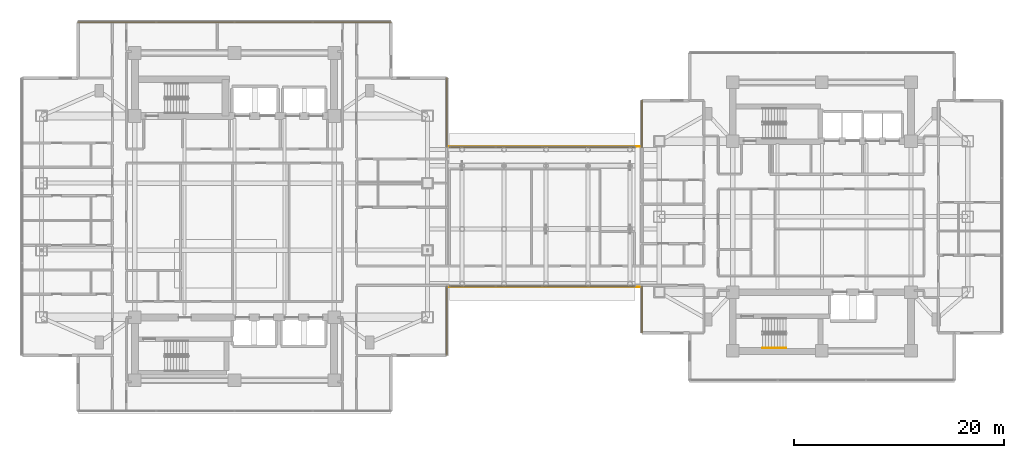
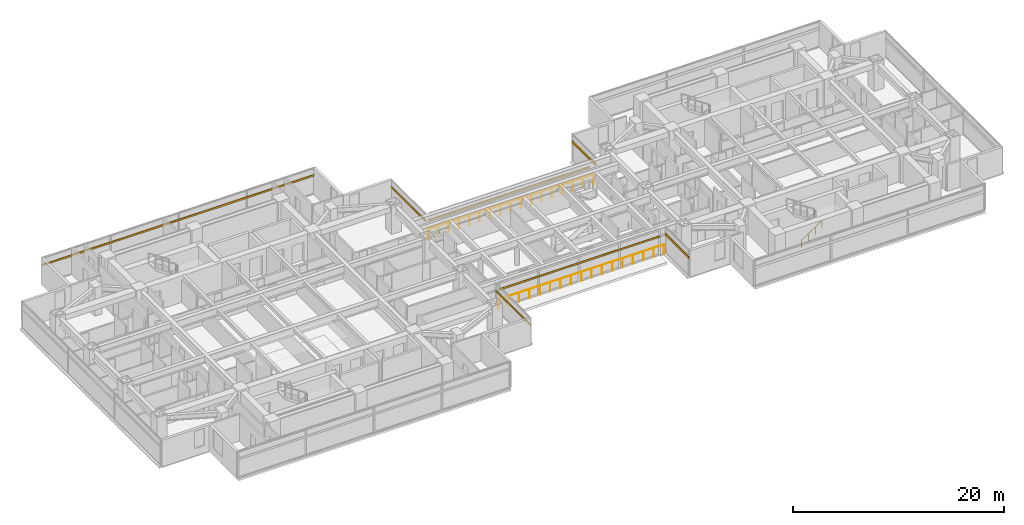
# One storey, part 26 of 29: 7 shading devices, 3 railings.
"""IFC4 building model written with IfcOpenShell, lengths in metres."""

import ifcopenshell
import ifcopenshell.guid

model = None  # the IFC model being written
_history = None  # IfcOwnerHistory: only IFC2X3 demands one
_inside = {}  # id of a spatial element -> (the spatial element, [elements in it])
_under = {}  # id of a project, library or spatial element -> (it, [spatial elements below it])
_declared = {}  # id of a project -> (the project, [libraries it declares])
_typed = {}  # id of a type object -> (the type object, [elements of that type])
_made_of = {}  # id of a material, layer set ... -> (it, [elements and type objects made of it])


def new_model(schema):
    """Start an empty IFC model of exactly this schema.

    Asked for "IFC4X3", IfcOpenShell would pick the latest addendum, in which some entities
    have other attributes; the version numbers below select the first issue.
    IFC2X3 requires an IfcOwnerHistory on every rooted entity: one is made here for all.
    """
    global model, _history
    if schema == "IFC4X3":
        model = ifcopenshell.file(schema_version=(4, 3, 0, 0))
    else:
        model = ifcopenshell.file(schema=schema)
    _inside.clear()
    _under.clear()
    _declared.clear()
    _typed.clear()
    _made_of.clear()
    _history = None
    if model.schema == "IFC2X3":
        org = make("IfcOrganization", Name="unknown")
        user = make(
            "IfcPersonAndOrganization",
            ThePerson=make("IfcPerson", FamilyName="unknown"),
            TheOrganization=org,
        )
        app = make(
            "IfcApplication",
            ApplicationDeveloper=org,
            Version="unknown",
            ApplicationFullName="unknown",
            ApplicationIdentifier="unknown",
        )
        _history = make(
            "IfcOwnerHistory",
            OwningUser=user,
            OwningApplication=app,
            ChangeAction="ADDED",
            CreationDate=0,
        )
    return model


def make(cls, **values):
    """One entity of the class cls with the attributes given. An attribute that is None is left unset."""
    return model.create_entity(
        cls, **{name: value for name, value in values.items() if value is not None}
    )


def rooted(cls, **values):
    """An entity with a GlobalId (a new one), such as an element, a storey or a relation."""
    return make(cls, GlobalId=ifcopenshell.guid.new(), OwnerHistory=_history, **values)


def si_unit(unit_type, name, prefix=None):
    """IfcSIUnit, for example si_unit("LENGTHUNIT", "METRE", prefix="MILLI")."""
    return make("IfcSIUnit", UnitType=unit_type, Prefix=prefix, Name=name)


def assignment(units):
    """IfcUnitAssignment: the units of a project."""
    return None if units is None else make("IfcUnitAssignment", Units=units)


def point(xyz):
    """IfcCartesianPoint."""
    return None if xyz is None else make("IfcCartesianPoint", Coordinates=xyz)


def direction(xyz):
    """IfcDirection."""
    return None if xyz is None else make("IfcDirection", DirectionRatios=xyz)


def frame(location, z_axis=None, x_axis=None):
    """IfcAxis2Placement3D, a coordinate frame: its origin and axes. An axis left out is left unset."""
    return make(
        "IfcAxis2Placement3D",
        Location=point(location),
        Axis=direction(z_axis),
        RefDirection=direction(x_axis),
    )


def frame_2d(location, x_axis=None):
    """IfcAxis2Placement2D, a coordinate frame in the plane: its origin and x axis."""
    return make(
        "IfcAxis2Placement2D", Location=point(location), RefDirection=direction(x_axis)
    )


def origin():
    """The frame at (0, 0, 0) with its axes left unset."""
    return frame((0.0, 0.0, 0.0))


def origin_2d():
    """The frame at (0, 0) in the plane with its x axis left unset."""
    return frame_2d((0.0, 0.0))


def place(relative_to, where):
    """IfcLocalPlacement: puts the frame where relative to a parent placement (None: the world)."""
    return make(
        "IfcLocalPlacement", PlacementRelTo=relative_to, RelativePlacement=where
    )


def context(
    kind, dimensions, precision=None, world=None, true_north=None, identifier=None
):
    """IfcGeometricRepresentationContext, for example the 3D "Model" context."""
    return make(
        "IfcGeometricRepresentationContext",
        ContextIdentifier=identifier,
        ContextType=kind,
        CoordinateSpaceDimension=dimensions,
        Precision=precision,
        WorldCoordinateSystem=world,
        TrueNorth=true_north,
    )


def subcontext(parent, identifier, kind, view, scale=None):
    """IfcGeometricRepresentationSubContext, for example "Body" below "Model"."""
    return make(
        "IfcGeometricRepresentationSubContext",
        ContextIdentifier=identifier,
        ContextType=kind,
        ParentContext=parent,
        TargetScale=scale,
        TargetView=view,
    )


def project(units=None, contexts=None):
    """IfcProject with its units and contexts."""
    return rooted(
        "IfcProject",
        Name="project",
        RepresentationContexts=contexts,
        UnitsInContext=assignment(units),
    )


def spatial(cls, under=None, at=None, **own):
    """A site, building, storey or space (cls), placed at a placement, below another one or the project."""
    s = rooted(cls, ObjectPlacement=at, **own)
    if under is not None:
        _under.setdefault(under.id(), (under, []))[1].append(s)
    return s


def profile(cls, at=None, kind="AREA", **sizes):
    """A parametric profile (cls). Its sizes go by their IFC names, for example OverallWidth=200.0."""
    return make(cls, ProfileType=kind, Position=at, **sizes)


def rectangle(**sizes):
    """IfcRectangleProfileDef."""
    return profile("IfcRectangleProfileDef", **sizes)


def circle(**sizes):
    """IfcCircleProfileDef."""
    return profile("IfcCircleProfileDef", **sizes)


def extrude(swept, where, along, depth):
    """IfcExtrudedAreaSolid: the profile swept, set in the frame where, extruded along a direction by depth."""
    return make(
        "IfcExtrudedAreaSolid",
        SweptArea=swept,
        Position=where,
        ExtrudedDirection=direction(along),
        Depth=depth,
    )


def shape(context_of_items, identifier, shape_type, items):
    """IfcShapeRepresentation: the items that make up one representation, for example the "Body"."""
    return make(
        "IfcShapeRepresentation",
        ContextOfItems=context_of_items,
        RepresentationIdentifier=identifier,
        RepresentationType=shape_type,
        Items=items,
    )


def material(Name=None, Category=None):
    """IfcMaterial."""
    return make("IfcMaterial", Name=Name, Category=Category)


def material_profile(
    of_material, cross_section, Name=None, Category=None, Priority=None
):
    """IfcMaterialProfile: a cross section and its material."""
    return make(
        "IfcMaterialProfile",
        Name=Name,
        Material=of_material,
        Profile=cross_section,
        Priority=Priority,
        Category=Category,
    )


def profile_set(profiles, Name=None, composite=None):
    """IfcMaterialProfileSet."""
    return make(
        "IfcMaterialProfileSet",
        Name=Name,
        MaterialProfiles=profiles,
        CompositeProfile=composite,
    )


def made_of(thing, what):
    """Note that an element or type object is made of a material, layer set ...; save() writes the relation."""
    if what is not None:
        _made_of.setdefault(what.id(), (what, []))[1].append(thing)
    return thing


def type_object(cls, material=None, **own):
    """A type object (cls), such as IfcWallType, which elements share."""
    return made_of(rooted(cls, **own), material)


def element(
    cls,
    number,
    at=None,
    inside=None,
    cuts=None,
    type_object=None,
    material=None,
    context=None,
    identifier="Body",
    shape_type=None,
    held_by="IfcProductDefinitionShape",
    body=None,
    shapes=None,
    **own,
):
    """One element of the class cls, such as IfcWall. Its Tag is "e" and its number.

    at: its placement. inside: the storey or other place that contains it. cuts: it is an
    opening in that element (IfcRelVoidsElement). A single representation is given by context,
    identifier, shape_type and body (its items); several are given by shapes. held_by: the class
    of the entity that holds the representations. save() writes the other relations.
    """
    e = rooted(cls, Tag="e%d" % number, ObjectPlacement=at, **own)
    if body is not None:
        shapes = [shape(context, identifier, shape_type, body)]
    if shapes is not None:
        e.Representation = make(held_by, Representations=shapes)
    if inside is not None:
        _inside.setdefault(inside.id(), (inside, []))[1].append(e)
    if cuts is not None:
        rooted(
            "IfcRelVoidsElement", RelatingBuildingElement=cuts, RelatedOpeningElement=e
        )
    if type_object is not None:
        _typed.setdefault(type_object.id(), (type_object, []))[1].append(e)
    return made_of(e, material)


def aggregate(whole, parts):
    """IfcRelAggregates: a whole, such as a stair, and the parts it consists of."""
    return rooted("IfcRelAggregates", RelatingObject=whole, RelatedObjects=parts)


def save(model, path):
    """Write the relations noted so far, then the file.

    IfcRelAggregates (storeys below a building ...), IfcRelContainedInSpatialStructure (elements
    in a storey), IfcRelDefinesByType, IfcRelAssociatesMaterial and IfcRelDeclares: one each for
    every whole, place, type object, material and project.
    """
    for whole, parts in _under.values():
        aggregate(whole, parts)
    for where, things in _inside.values():
        rooted(
            "IfcRelContainedInSpatialStructure",
            RelatedElements=things,
            RelatingStructure=where,
        )
    for kind, things in _typed.values():
        rooted("IfcRelDefinesByType", RelatedObjects=things, RelatingType=kind)
    for what, things in _made_of.values():
        rooted("IfcRelAssociatesMaterial", RelatedObjects=things, RelatingMaterial=what)
    for by, libraries in _declared.values():
        rooted("IfcRelDeclares", RelatingContext=by, RelatedDefinitions=libraries)
    model.write(path)


model = new_model("IFC4")

# Units and contexts
model_context = context("Model", 3, precision=1e-05, world=origin(), true_north=direction((0.0, 1.0)))
body_context = subcontext(model_context, "Body", "Model", "MODEL_VIEW")
ifc_project = project(units=[si_unit("LENGTHUNIT", "METRE"), si_unit("AREAUNIT", "SQUARE_METRE"), si_unit("VOLUMEUNIT", "CUBIC_METRE"), si_unit("PLANEANGLEUNIT", "RADIAN"), si_unit("MASSUNIT", "GRAM", prefix="KILO")], contexts=[model_context])

# Site, building, storey
site_placement = place(None, origin())
site = spatial("IfcSite", under=ifc_project, at=site_placement, CompositionType="ELEMENT")
building_placement = place(site_placement, origin())
building = spatial("IfcBuilding", under=site, at=building_placement, Name="Mirazonda Arch Towers", CompositionType="ELEMENT")
storey_placement = place(building_placement, frame((0.0, 0.0, 88.39990234375)))
storey = spatial("IfcBuildingStorey", under=building, at=storey_placement, Name="L24", CompositionType="ELEMENT", Elevation=88.39990234375)

# Shading devices
ifc_material_1 = material(Name="Kiln-Fired Architectural Terracotta", Category="masonry")
ifc_material_profile_1 = material_profile(ifc_material_1, rectangle(XDim=0.10009765625, YDim=0.199951171875, at=origin_2d()), Name="TERRA-BAG-100x200")
ifc_profile_set_1 = profile_set([ifc_material_profile_1], Name="Kiln-Fired Architectural Terracotta")
shading_device_type_1 = type_object("IfcShadingDeviceType", Name="BAGUETTE-2", PredefinedType="USERDEFINED", material=ifc_profile_set_1)
for number, where, z_axis, x_axis, name in (
    (1, (40.72998046875, 14.77490234375, 2.203369140625), (0.0, 1.0, 0.0), (-1.0, 0.0, 0.0), "L24 Glazed Terracotta Sun-Screen Baguette CW-L24-T1-E1"),
    (2, (40.72998046875, 34.639892578125, 2.203369140625), (0.0, 1.0, 0.0), (-1.0, 0.0, 0.0), "L24 Glazed Terracotta Sun-Screen Baguette CW-L24-T1-E2"),
):
    element("IfcShadingDevice", number, at=place(storey_placement, frame(where, z_axis=z_axis, x_axis=x_axis)), inside=storey, type_object=shading_device_type_1, Name=name, ObjectType="BAGUETTE", PredefinedType="USERDEFINED", context=body_context, shape_type="SweptSolid", body=[
        extrude(rectangle(XDim=0.10009765625, YDim=0.199951171875, at=origin_2d()), origin(), (0.0, 0.0, 1.0), 6.585205078125),
    ])
shading_device_placement = place(storey_placement, frame((5.574951171875, 46.530029296875, 2.203369140625), z_axis=(1.0, 0.0, 0.0), x_axis=(0.0, 1.0, 0.0)))
element("IfcShadingDevice", 3, at=shading_device_placement, inside=storey, type_object=shading_device_type_1, Name="L24 Glazed Terracotta Sun-Screen Baguette CW-L24-T1-N", ObjectType="BAGUETTE", PredefinedType="USERDEFINED", context=body_context, shape_type="SweptSolid", body=[
    extrude(rectangle(XDim=0.10009765625, YDim=0.199951171875, at=origin_2d()), origin(), (0.0, 0.0, 1.0), 29.85009765625),
])
for number, where, z_axis, x_axis, name in (
    (4, (58.6875, 21.3798828125, 2.177001953125), (-1.0, 0.0, 0.0), (0.0, -1.0, 0.0), "L24 Glazed Terracotta Sun-Screen Baguette CW-L24-BRG-S"),
    (5, (40.989990234375, 34.6201171875, 2.177001953125), (1.0, 0.0, 0.0), (0.0, 1.0, 0.0), "L24 Glazed Terracotta Sun-Screen Baguette CW-L24-BRG-N"),
):
    element("IfcShadingDevice", number, at=place(storey_placement, frame(where, z_axis=z_axis, x_axis=x_axis)), inside=storey, type_object=shading_device_type_1, Name=name, ObjectType="BAGUETTE", PredefinedType="USERDEFINED", context=body_context, shape_type="SweptSolid", body=[
        extrude(rectangle(XDim=0.10009765625, YDim=0.199951171875, at=origin_2d()), origin(), (0.0, 0.0, 1.0), 17.697509765625),
    ])
ifc_material_profile_2 = material_profile(ifc_material_1, rectangle(XDim=0.139892578125, YDim=0.280029296875, at=origin_2d()), Name="TERRA-BAG-140x280")
ifc_profile_set_2 = profile_set([ifc_material_profile_2], Name="Kiln-Fired Architectural Terracotta")
shading_device_type_2 = type_object("IfcShadingDeviceType", Name="BAGUETTE-3", PredefinedType="USERDEFINED", material=ifc_profile_set_2)
for number, where, z_axis, x_axis, name in (
    (6, (59.357421875, 39.081298828125, 2.203369140625), (0.0, -1.0, 0.0), (1.0, 0.0, 0.0), "L24 Glazed Terracotta Sun-Screen Baguette CW-L24-T2-W1"),
    (7, (59.357421875, 21.360107421875, 2.203369140625), (0.0, -1.0, 0.0), (1.0, 0.0, 0.0), "L24 Glazed Terracotta Sun-Screen Baguette CW-L24-T2-W2"),
):
    element("IfcShadingDevice", number, at=place(storey_placement, frame(where, z_axis=z_axis, x_axis=x_axis)), inside=storey, type_object=shading_device_type_2, Name=name, ObjectType="BAGUETTE", PredefinedType="USERDEFINED", context=body_context, shape_type="SweptSolid", body=[
        extrude(rectangle(XDim=0.139892578125, YDim=0.280029296875, at=origin_2d()), origin(), (0.0, 0.0, 1.0), 4.44140625),
    ])

# Railings
ifc_material_2 = material(Name="Architectural Brushed Steel S355", Category="steel")
railing_type_1 = type_object("IfcRailingType", Name="GUARD-EXT-1150", PredefinedType="GUARDRAIL", material=ifc_material_2)
railing_1_placement = place(storey_placement, frame((40.989990234375, 21.300048828125, 0.0)))
element("IfcRailing", 8, at=railing_1_placement, inside=storey, type_object=railing_type_1, Name="L24 Skybridge South Edge Guard 01", PredefinedType="GUARDRAIL", context=body_context, shape_type="SweptSolid", body=[
    extrude(circle(Radius=0.02392578125, at=origin_2d()), frame((0.0, 0.0, 1.1259765625), z_axis=(1.0, 0.0, 0.0), x_axis=(0.0, 1.0, 0.0)), (0.0, 0.0, 1.0), 18.1474609375),
    extrude(circle(Radius=0.02099609375, at=origin_2d()), origin(), (0.0, 0.0, 1.0), 1.101806640625),
    extrude(circle(Radius=0.02099609375, at=origin_2d()), frame((1.13427734375, 0.0, 0.0)), (0.0, 0.0, 1.0), 1.101806640625),
    extrude(circle(Radius=0.02099609375, at=origin_2d()), frame((2.2685546875, 0.0, 0.0)), (0.0, 0.0, 1.0), 1.101806640625),
    extrude(circle(Radius=0.02099609375, at=origin_2d()), frame((3.402587890625, 0.0, 0.0)), (0.0, 0.0, 1.0), 1.101806640625),
    extrude(circle(Radius=0.02099609375, at=origin_2d()), frame((4.536865234375, 0.0, 0.0)), (0.0, 0.0, 1.0), 1.101806640625),
    extrude(circle(Radius=0.02099609375, at=origin_2d()), frame((5.671142578125, 0.0, 0.0)), (0.0, 0.0, 1.0), 1.101806640625),
    extrude(circle(Radius=0.02099609375, at=origin_2d()), frame((6.80517578125, 0.0, 0.0)), (0.0, 0.0, 1.0), 1.101806640625),
    extrude(circle(Radius=0.02099609375, at=origin_2d()), frame((7.939453125, 0.0, 0.0)), (0.0, 0.0, 1.0), 1.101806640625),
    extrude(circle(Radius=0.02099609375, at=origin_2d()), frame((9.07373046875, 0.0, 0.0)), (0.0, 0.0, 1.0), 1.101806640625),
    extrude(circle(Radius=0.02099609375, at=origin_2d()), frame((10.2080078125, 0.0, 0.0)), (0.0, 0.0, 1.0), 1.101806640625),
    extrude(circle(Radius=0.02099609375, at=origin_2d()), frame((11.34228515625, 0.0, 0.0)), (0.0, 0.0, 1.0), 1.101806640625),
    extrude(circle(Radius=0.02099609375, at=origin_2d()), frame((12.476318359375, 0.0, 0.0)), (0.0, 0.0, 1.0), 1.101806640625),
    extrude(circle(Radius=0.02099609375, at=origin_2d()), frame((13.610595703125, 0.0, 0.0)), (0.0, 0.0, 1.0), 1.101806640625),
    extrude(circle(Radius=0.02099609375, at=origin_2d()), frame((14.744873046875, 0.0, 0.0)), (0.0, 0.0, 1.0), 1.101806640625),
    extrude(circle(Radius=0.02099609375, at=origin_2d()), frame((15.87890625, 0.0, 0.0)), (0.0, 0.0, 1.0), 1.101806640625),
    extrude(circle(Radius=0.02099609375, at=origin_2d()), frame((17.01318359375, 0.0, 0.0)), (0.0, 0.0, 1.0), 1.101806640625),
    extrude(circle(Radius=0.02099609375, at=origin_2d()), frame((18.1474609375, 0.0, 0.0)), (0.0, 0.0, 1.0), 1.101806640625),
])
railing_2_placement = place(storey_placement, frame((40.989990234375, 34.699951171875, 0.0)))
element("IfcRailing", 9, at=railing_2_placement, inside=storey, type_object=railing_type_1, Name="L24 Skybridge North Edge Guard 01", PredefinedType="GUARDRAIL", context=body_context, shape_type="SweptSolid", body=[
    extrude(circle(Radius=0.02392578125, at=origin_2d()), frame((0.0, 0.0, 1.1259765625), z_axis=(1.0, 0.0, 0.0), x_axis=(0.0, 1.0, 0.0)), (0.0, 0.0, 1.0), 18.1474609375),
    extrude(circle(Radius=0.02099609375, at=origin_2d()), origin(), (0.0, 0.0, 1.0), 1.101806640625),
    extrude(circle(Radius=0.02099609375, at=origin_2d()), frame((1.13427734375, 0.0, 0.0)), (0.0, 0.0, 1.0), 1.101806640625),
    extrude(circle(Radius=0.02099609375, at=origin_2d()), frame((2.2685546875, 0.0, 0.0)), (0.0, 0.0, 1.0), 1.101806640625),
    extrude(circle(Radius=0.02099609375, at=origin_2d()), frame((3.402587890625, 0.0, 0.0)), (0.0, 0.0, 1.0), 1.101806640625),
    extrude(circle(Radius=0.02099609375, at=origin_2d()), frame((4.536865234375, 0.0, 0.0)), (0.0, 0.0, 1.0), 1.101806640625),
    extrude(circle(Radius=0.02099609375, at=origin_2d()), frame((5.671142578125, 0.0, 0.0)), (0.0, 0.0, 1.0), 1.101806640625),
    extrude(circle(Radius=0.02099609375, at=origin_2d()), frame((6.80517578125, 0.0, 0.0)), (0.0, 0.0, 1.0), 1.101806640625),
    extrude(circle(Radius=0.02099609375, at=origin_2d()), frame((7.939453125, 0.0, 0.0)), (0.0, 0.0, 1.0), 1.101806640625),
    extrude(circle(Radius=0.02099609375, at=origin_2d()), frame((9.07373046875, 0.0, 0.0)), (0.0, 0.0, 1.0), 1.101806640625),
    extrude(circle(Radius=0.02099609375, at=origin_2d()), frame((10.2080078125, 0.0, 0.0)), (0.0, 0.0, 1.0), 1.101806640625),
    extrude(circle(Radius=0.02099609375, at=origin_2d()), frame((11.34228515625, 0.0, 0.0)), (0.0, 0.0, 1.0), 1.101806640625),
    extrude(circle(Radius=0.02099609375, at=origin_2d()), frame((12.476318359375, 0.0, 0.0)), (0.0, 0.0, 1.0), 1.101806640625),
    extrude(circle(Radius=0.02099609375, at=origin_2d()), frame((13.610595703125, 0.0, 0.0)), (0.0, 0.0, 1.0), 1.101806640625),
    extrude(circle(Radius=0.02099609375, at=origin_2d()), frame((14.744873046875, 0.0, 0.0)), (0.0, 0.0, 1.0), 1.101806640625),
    extrude(circle(Radius=0.02099609375, at=origin_2d()), frame((15.87890625, 0.0, 0.0)), (0.0, 0.0, 1.0), 1.101806640625),
    extrude(circle(Radius=0.02099609375, at=origin_2d()), frame((17.01318359375, 0.0, 0.0)), (0.0, 0.0, 1.0), 1.101806640625),
    extrude(circle(Radius=0.02099609375, at=origin_2d()), frame((18.1474609375, 0.0, 0.0)), (0.0, 0.0, 1.0), 1.101806640625),
])
railing_type_2 = type_object("IfcRailingType", Name="HANDRAIL-915", PredefinedType="HANDRAIL", material=ifc_material_2)
railing_3_placement = place(storey_placement, frame((70.85009765625, 15.469970703125, 0.183349609375)))
element("IfcRailing", 10, at=railing_3_placement, inside=storey, type_object=railing_type_2, Name="L24 ST-T2S stair handrail 1", PredefinedType="HANDRAIL", context=body_context, shape_type="SweptSolid", body=[
    extrude(circle(Radius=0.02392578125, at=origin_2d()), frame((0.0, 0.0, 0.8759765625), z_axis=(0.836595146698, 0.0, 0.547821650285), x_axis=(0.0, 1.0, 0.0)), (0.0, 0.0, 1.0), 2.677490234375),
    extrude(circle(Radius=0.02099609375, at=origin_2d()), origin(), (0.0, 0.0, 1.0), 0.851806640625),
    extrude(circle(Radius=0.02099609375, at=origin_2d()), frame((0.74658203125, 0.0, 0.489013671875)), (0.0, 0.0, 1.0), 0.851806640625),
    extrude(circle(Radius=0.02099609375, at=origin_2d()), frame((1.493408203125, 0.0, 0.977783203125)), (0.0, 0.0, 1.0), 0.851806640625),
    extrude(circle(Radius=0.02099609375, at=origin_2d()), frame((2.239990234375, 0.0, 1.466796875)), (0.0, 0.0, 1.0), 0.851806640625),
])

save(model, "model.ifc")
